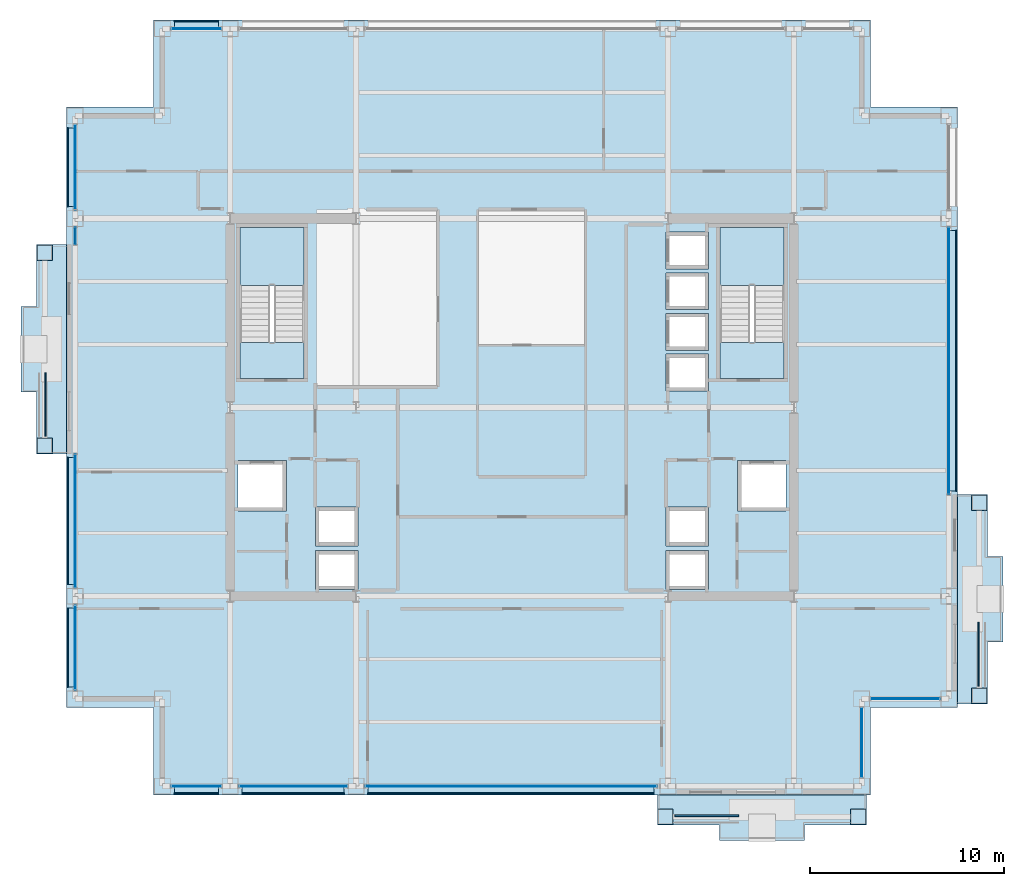
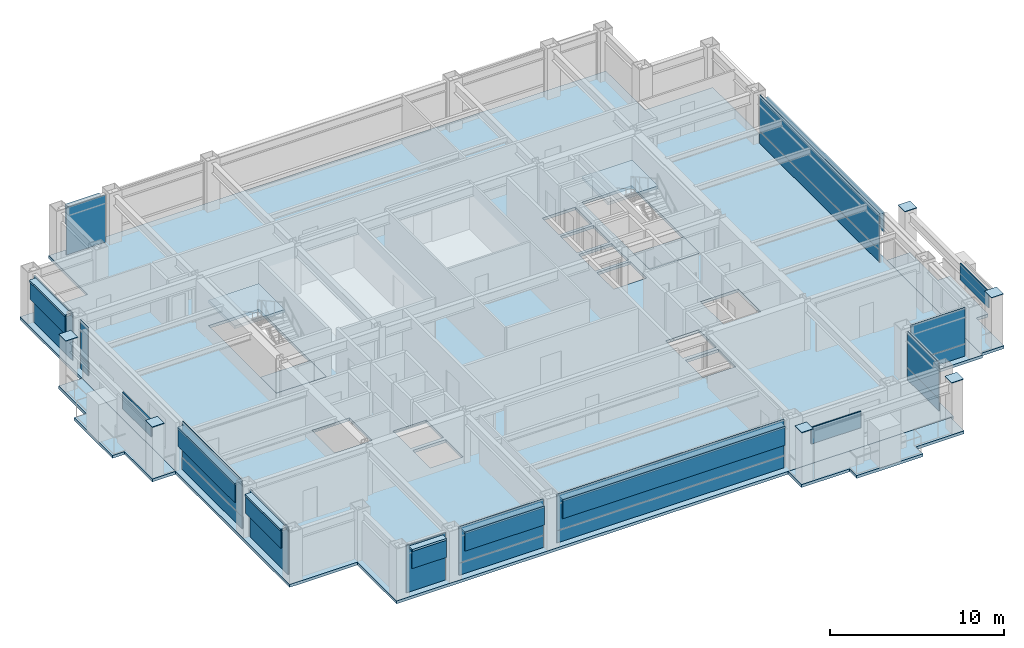
# One storey, part 22 of 29: 43 plates, 8 slabs, 1 member, 13 elements without a shape of their own.
"""IFC4 building model written with IfcOpenShell, lengths in metres."""

import ifcopenshell
import ifcopenshell.guid

model = None  # the IFC model being written
_history = None  # IfcOwnerHistory: only IFC2X3 demands one
_inside = {}  # id of a spatial element -> (the spatial element, [elements in it])
_under = {}  # id of a project, library or spatial element -> (it, [spatial elements below it])
_declared = {}  # id of a project -> (the project, [libraries it declares])
_typed = {}  # id of a type object -> (the type object, [elements of that type])
_made_of = {}  # id of a material, layer set ... -> (it, [elements and type objects made of it])


def new_model(schema):
    """Start an empty IFC model of exactly this schema.

    Asked for "IFC4X3", IfcOpenShell would pick the latest addendum, in which some entities
    have other attributes; the version numbers below select the first issue.
    IFC2X3 requires an IfcOwnerHistory on every rooted entity: one is made here for all.
    """
    global model, _history
    if schema == "IFC4X3":
        model = ifcopenshell.file(schema_version=(4, 3, 0, 0))
    else:
        model = ifcopenshell.file(schema=schema)
    _inside.clear()
    _under.clear()
    _declared.clear()
    _typed.clear()
    _made_of.clear()
    _history = None
    if model.schema == "IFC2X3":
        org = make("IfcOrganization", Name="unknown")
        user = make(
            "IfcPersonAndOrganization",
            ThePerson=make("IfcPerson", FamilyName="unknown"),
            TheOrganization=org,
        )
        app = make(
            "IfcApplication",
            ApplicationDeveloper=org,
            Version="unknown",
            ApplicationFullName="unknown",
            ApplicationIdentifier="unknown",
        )
        _history = make(
            "IfcOwnerHistory",
            OwningUser=user,
            OwningApplication=app,
            ChangeAction="ADDED",
            CreationDate=0,
        )
    return model


def make(cls, **values):
    """One entity of the class cls with the attributes given. An attribute that is None is left unset."""
    return model.create_entity(
        cls, **{name: value for name, value in values.items() if value is not None}
    )


def rooted(cls, **values):
    """An entity with a GlobalId (a new one), such as an element, a storey or a relation."""
    return make(cls, GlobalId=ifcopenshell.guid.new(), OwnerHistory=_history, **values)


def si_unit(unit_type, name, prefix=None):
    """IfcSIUnit, for example si_unit("LENGTHUNIT", "METRE", prefix="MILLI")."""
    return make("IfcSIUnit", UnitType=unit_type, Prefix=prefix, Name=name)


def assignment(units):
    """IfcUnitAssignment: the units of a project."""
    return None if units is None else make("IfcUnitAssignment", Units=units)


def point(xyz):
    """IfcCartesianPoint."""
    return None if xyz is None else make("IfcCartesianPoint", Coordinates=xyz)


def direction(xyz):
    """IfcDirection."""
    return None if xyz is None else make("IfcDirection", DirectionRatios=xyz)


def frame(location, z_axis=None, x_axis=None):
    """IfcAxis2Placement3D, a coordinate frame: its origin and axes. An axis left out is left unset."""
    return make(
        "IfcAxis2Placement3D",
        Location=point(location),
        Axis=direction(z_axis),
        RefDirection=direction(x_axis),
    )


def frame_2d(location, x_axis=None):
    """IfcAxis2Placement2D, a coordinate frame in the plane: its origin and x axis."""
    return make(
        "IfcAxis2Placement2D", Location=point(location), RefDirection=direction(x_axis)
    )


def origin():
    """The frame at (0, 0, 0) with its axes left unset."""
    return frame((0.0, 0.0, 0.0))


def origin_2d():
    """The frame at (0, 0) in the plane with its x axis left unset."""
    return frame_2d((0.0, 0.0))


def place(relative_to, where):
    """IfcLocalPlacement: puts the frame where relative to a parent placement (None: the world)."""
    return make(
        "IfcLocalPlacement", PlacementRelTo=relative_to, RelativePlacement=where
    )


def context(
    kind, dimensions, precision=None, world=None, true_north=None, identifier=None
):
    """IfcGeometricRepresentationContext, for example the 3D "Model" context."""
    return make(
        "IfcGeometricRepresentationContext",
        ContextIdentifier=identifier,
        ContextType=kind,
        CoordinateSpaceDimension=dimensions,
        Precision=precision,
        WorldCoordinateSystem=world,
        TrueNorth=true_north,
    )


def subcontext(parent, identifier, kind, view, scale=None):
    """IfcGeometricRepresentationSubContext, for example "Body" below "Model"."""
    return make(
        "IfcGeometricRepresentationSubContext",
        ContextIdentifier=identifier,
        ContextType=kind,
        ParentContext=parent,
        TargetScale=scale,
        TargetView=view,
    )


def project(units=None, contexts=None):
    """IfcProject with its units and contexts."""
    return rooted(
        "IfcProject",
        Name="project",
        RepresentationContexts=contexts,
        UnitsInContext=assignment(units),
    )


def spatial(cls, under=None, at=None, **own):
    """A site, building, storey or space (cls), placed at a placement, below another one or the project."""
    s = rooted(cls, ObjectPlacement=at, **own)
    if under is not None:
        _under.setdefault(under.id(), (under, []))[1].append(s)
    return s


def polyline(points):
    """IfcPolyline through the points."""
    return make("IfcPolyline", Points=[point(p) for p in points])


def profile(cls, at=None, kind="AREA", **sizes):
    """A parametric profile (cls). Its sizes go by their IFC names, for example OverallWidth=200.0."""
    return make(cls, ProfileType=kind, Position=at, **sizes)


def rectangle(**sizes):
    """IfcRectangleProfileDef."""
    return profile("IfcRectangleProfileDef", **sizes)


def hollow_rectangle(**sizes):
    """IfcRectangleHollowProfileDef."""
    return profile("IfcRectangleHollowProfileDef", **sizes)


def outline(outer, holes=None, kind="AREA"):
    """IfcArbitraryClosedProfileDef: a profile drawn as a closed curve; with holes, ...WithVoids."""
    if holes is None:
        return make("IfcArbitraryClosedProfileDef", ProfileType=kind, OuterCurve=outer)
    return make(
        "IfcArbitraryProfileDefWithVoids",
        ProfileType=kind,
        OuterCurve=outer,
        InnerCurves=holes,
    )


def extrude(swept, where, along, depth):
    """IfcExtrudedAreaSolid: the profile swept, set in the frame where, extruded along a direction by depth."""
    return make(
        "IfcExtrudedAreaSolid",
        SweptArea=swept,
        Position=where,
        ExtrudedDirection=direction(along),
        Depth=depth,
    )


def shape(context_of_items, identifier, shape_type, items):
    """IfcShapeRepresentation: the items that make up one representation, for example the "Body"."""
    return make(
        "IfcShapeRepresentation",
        ContextOfItems=context_of_items,
        RepresentationIdentifier=identifier,
        RepresentationType=shape_type,
        Items=items,
    )


def material(Name=None, Category=None):
    """IfcMaterial."""
    return make("IfcMaterial", Name=Name, Category=Category)


def layer(
    of_material, thickness, ventilated=None, Name=None, Category=None, Priority=None
):
    """IfcMaterialLayer: one layer of a wall or slab, of a material (None: an air gap)."""
    return make(
        "IfcMaterialLayer",
        Material=of_material,
        LayerThickness=thickness,
        IsVentilated=ventilated,
        Name=Name,
        Category=Category,
        Priority=Priority,
    )


def layer_set(layers, Name=None):
    """IfcMaterialLayerSet."""
    return make("IfcMaterialLayerSet", MaterialLayers=layers, LayerSetName=Name)


def material_profile(
    of_material, cross_section, Name=None, Category=None, Priority=None
):
    """IfcMaterialProfile: a cross section and its material."""
    return make(
        "IfcMaterialProfile",
        Name=Name,
        Material=of_material,
        Profile=cross_section,
        Priority=Priority,
        Category=Category,
    )


def profile_set(profiles, Name=None, composite=None):
    """IfcMaterialProfileSet."""
    return make(
        "IfcMaterialProfileSet",
        Name=Name,
        MaterialProfiles=profiles,
        CompositeProfile=composite,
    )


def made_of(thing, what):
    """Note that an element or type object is made of a material, layer set ...; save() writes the relation."""
    if what is not None:
        _made_of.setdefault(what.id(), (what, []))[1].append(thing)
    return thing


def type_object(cls, material=None, **own):
    """A type object (cls), such as IfcWallType, which elements share."""
    return made_of(rooted(cls, **own), material)


def element(
    cls,
    number,
    at=None,
    inside=None,
    cuts=None,
    type_object=None,
    material=None,
    context=None,
    identifier="Body",
    shape_type=None,
    held_by="IfcProductDefinitionShape",
    body=None,
    shapes=None,
    **own,
):
    """One element of the class cls, such as IfcWall. Its Tag is "e" and its number.

    at: its placement. inside: the storey or other place that contains it. cuts: it is an
    opening in that element (IfcRelVoidsElement). A single representation is given by context,
    identifier, shape_type and body (its items); several are given by shapes. held_by: the class
    of the entity that holds the representations. save() writes the other relations.
    """
    e = rooted(cls, Tag="e%d" % number, ObjectPlacement=at, **own)
    if body is not None:
        shapes = [shape(context, identifier, shape_type, body)]
    if shapes is not None:
        e.Representation = make(held_by, Representations=shapes)
    if inside is not None:
        _inside.setdefault(inside.id(), (inside, []))[1].append(e)
    if cuts is not None:
        rooted(
            "IfcRelVoidsElement", RelatingBuildingElement=cuts, RelatedOpeningElement=e
        )
    if type_object is not None:
        _typed.setdefault(type_object.id(), (type_object, []))[1].append(e)
    return made_of(e, material)


def aggregate(whole, parts):
    """IfcRelAggregates: a whole, such as a stair, and the parts it consists of."""
    return rooted("IfcRelAggregates", RelatingObject=whole, RelatedObjects=parts)


def save(model, path):
    """Write the relations noted so far, then the file.

    IfcRelAggregates (storeys below a building ...), IfcRelContainedInSpatialStructure (elements
    in a storey), IfcRelDefinesByType, IfcRelAssociatesMaterial and IfcRelDeclares: one each for
    every whole, place, type object, material and project.
    """
    for whole, parts in _under.values():
        aggregate(whole, parts)
    for where, things in _inside.values():
        rooted(
            "IfcRelContainedInSpatialStructure",
            RelatedElements=things,
            RelatingStructure=where,
        )
    for kind, things in _typed.values():
        rooted("IfcRelDefinesByType", RelatedObjects=things, RelatingType=kind)
    for what, things in _made_of.values():
        rooted("IfcRelAssociatesMaterial", RelatedObjects=things, RelatingMaterial=what)
    for by, libraries in _declared.values():
        rooted("IfcRelDeclares", RelatingContext=by, RelatedDefinitions=libraries)
    model.write(path)


model = new_model("IFC4")

# Units and contexts
model_context = context("Model", 3, precision=1e-05, world=origin(), true_north=direction((0.0, 1.0)))
body_context = subcontext(model_context, "Body", "Model", "MODEL_VIEW")
ifc_project = project(units=[si_unit("LENGTHUNIT", "METRE"), si_unit("AREAUNIT", "SQUARE_METRE"), si_unit("VOLUMEUNIT", "CUBIC_METRE"), si_unit("PLANEANGLEUNIT", "RADIAN"), si_unit("MASSUNIT", "GRAM", prefix="KILO")], contexts=[model_context])

# Site, building, storey
site_placement = place(None, origin())
site = spatial("IfcSite", under=ifc_project, at=site_placement, CompositionType="ELEMENT")
building_placement = place(site_placement, origin())
building = spatial("IfcBuilding", under=site, at=building_placement, Name="Brelmoor Portico Tower", CompositionType="ELEMENT")
storey_placement = place(building_placement, frame((0.0, 0.0, 95.39990234375)))
storey = spatial("IfcBuildingStorey", under=building, at=storey_placement, Name="L24", CompositionType="ELEMENT", Elevation=95.39990234375)

# Curtain wall, member
ifc_material_1 = material(Name="Anodised Aluminium Alloy 6063-T6", Category="aluminium")
ifc_layer_1 = layer(ifc_material_1, 0.179931640625)
ifc_layer_set_1 = layer_set([ifc_layer_1], Name="Anodised Aluminium Alloy 6063-T6")
curtain_wall_type_1 = type_object("IfcCurtainWallType", Name="CW-TOWER-Z2", PredefinedType="NOTDEFINED", material=ifc_layer_set_1)
curtain_wall_1_placement = place(storey_placement, origin())
curtain_wall_1 = element("IfcCurtainWall", 1, at=curtain_wall_1_placement, inside=storey, type_object=curtain_wall_type_1, Name="L24 Curtain Wall CW-L24-3R-1", PredefinedType="NOTDEFINED")
ifc_material_profile = material_profile(ifc_material_1, hollow_rectangle(XDim=0.06494140625, YDim=0.139892578125, WallThickness=0.00390625, at=origin_2d()), Name="ALU TRANSOM 65x140")
ifc_profile_set = profile_set([ifc_material_profile], Name="Anodised Aluminium Alloy 6063-T6")
member_type = type_object("IfcMemberType", Name="MB-CW-TRAN-140", PredefinedType="USERDEFINED", material=ifc_profile_set)
member_placement = place(storey_placement, frame((-22.550048828125, 8.39990234375, 0.85009765625), z_axis=(0.0, 1.0, 0.0), x_axis=(-1.0, 0.0, 0.0)))
member = element("IfcMember", 2, at=member_placement, type_object=member_type, Name="CW-L24-3R-1 Transom 1-00", ObjectType="TRANSOM", PredefinedType="USERDEFINED", context=body_context, shape_type="SweptSolid", body=[
    extrude(hollow_rectangle(XDim=0.06494140625, YDim=0.139892578125, WallThickness=0.00390625, at=origin_2d()), origin(), (0.0, 0.0, 1.0), 0.9150390625),
])

# Plates
ifc_material_2 = material(Name="Steel Q355B", Category="steel")
ifc_layer_2 = layer(ifc_material_2, 0.044921875)
ifc_layer_set_2 = layer_set([ifc_layer_2], Name="Steel Q355B")
plate_type_1 = type_object("IfcPlateType", Name="PT-CAP-650", PredefinedType="SHEET", material=ifc_layer_set_2)
for number, where, z_axis, x_axis, name in (
    (3, (7.919921875, -21.1298828125, 3.60009765625), (0.0, 0.0, 1.0), (1.0, 0.0, 0.0), "L24 Proud Picture-Frame Pier PFJ-S1 Welded Head Cap Plate"),
    (4, (17.8798828125, -21.1298828125, 3.60009765625), (0.0, 0.0, 1.0), (1.0, 0.0, 0.0), "L24 Proud Picture-Frame Pier PFJ-S2 Welded Head Cap Plate"),
    (5, (24.1298828125, -14.8798828125, 3.60009765625), (0.0, 0.0, 1.0), (0.0, 1.0, 0.0), "L24 Proud Picture-Frame Pier PFJ-E1 Welded Head Cap Plate"),
    (6, (24.1298828125, -4.919921875, 3.60009765625), (0.0, 0.0, 1.0), (0.0, 1.0, 0.0), "L24 Proud Picture-Frame Pier PFJ-E2 Welded Head Cap Plate"),
    (7, (-24.1298828125, -1.97998046875, 3.60009765625), (0.0, 0.0, 1.0), (0.0, 1.0, 0.0), "L24 Proud Picture-Frame Pier PFJ-W1 Welded Head Cap Plate"),
    (8, (-24.1298828125, 7.97998046875, 3.60009765625), (0.0, 0.0, 1.0), (0.0, 1.0, 0.0), "L24 Proud Picture-Frame Pier PFJ-W2 Welded Head Cap Plate"),
):
    element("IfcPlate", number, at=place(storey_placement, frame(where, z_axis=z_axis, x_axis=x_axis)), inside=storey, type_object=plate_type_1, Name=name, PredefinedType="SHEET", context=body_context, shape_type="SweptSolid", body=[
        extrude(rectangle(XDim=0.7900390625, YDim=0.7900390625, at=origin_2d()), origin(), (0.0, 0.0, 1.0), 0.0400390625),
    ])

# Curtain wall, plate
curtain_wall_2_placement = place(storey_placement, origin())
curtain_wall_2 = element("IfcCurtainWall", 9, at=curtain_wall_2_placement, inside=storey, type_object=curtain_wall_type_1, Name="L24 Curtain Wall CW-L24-1L-2", PredefinedType="NOTDEFINED")
ifc_material_3 = material(Name="Double-Silver Low-E Insulated Glazing", Category="glass")
ifc_layer_3 = layer(ifc_material_3, 0.035888671875)
ifc_layer_set_3 = layer_set([ifc_layer_3], Name="Double-Silver Low-E Insulated Glazing")
plate_type_2 = type_object("IfcPlateType", Name="PT-CW-GLASS", PredefinedType="CURTAIN_PANEL", material=ifc_layer_set_3)
plate_1_placement = place(storey_placement, frame((-11.300048828125, -19.550048828125, 0.85009765625), z_axis=(0.0, 0.0, 1.0), x_axis=(1.0, 0.0, 0.0)))
plate_1 = element("IfcPlate", 10, at=plate_1_placement, type_object=plate_type_2, Name="CW-L24-1L-2 Vision Glass Panel 00", PredefinedType="CURTAIN_PANEL", context=body_context, shape_type="SweptSolid", body=[
    extrude(rectangle(XDim=5.60009765625, YDim=0.035888671875, at=origin_2d()), origin(), (0.0, 0.0, 1.0), 2.550048828125),
])

curtain_wall_3_placement = place(storey_placement, origin())
curtain_wall_3 = element("IfcCurtainWall", 11, at=curtain_wall_3_placement, inside=storey, type_object=curtain_wall_type_1, Name="L24 Curtain Wall CW-L24-1L-3", PredefinedType="NOTDEFINED")
plate_2_placement = place(storey_placement, frame((-0.0576171875, -19.550048828125, 0.85009765625), z_axis=(0.0, 0.0, 1.0), x_axis=(1.0, 0.0, 0.0)))
plate_2 = element("IfcPlate", 12, at=plate_2_placement, type_object=plate_type_2, Name="CW-L24-1L-3 Vision Glass Panel 00", PredefinedType="CURTAIN_PANEL", context=body_context, shape_type="SweptSolid", body=[
    extrude(rectangle(XDim=15.0849609375, YDim=0.035888671875, at=origin_2d()), origin(), (0.0, 0.0, 1.0), 2.550048828125),
])

curtain_wall_4_placement = place(storey_placement, origin())
curtain_wall_4 = element("IfcCurtainWall", 13, at=curtain_wall_4_placement, inside=storey, type_object=curtain_wall_type_1, Name="L24 Curtain Wall CW-L24-3L-2", PredefinedType="NOTDEFINED")
plate_3_placement = place(storey_placement, frame((-22.550048828125, -5.857421875, 0.85009765625), z_axis=(0.0, 0.0, 1.0), x_axis=(0.0, 1.0, 0.0)))
plate_3 = element("IfcPlate", 14, at=plate_3_placement, type_object=plate_type_2, Name="CW-L24-3L-2 Vision Glass Panel 00", PredefinedType="CURTAIN_PANEL", context=body_context, shape_type="SweptSolid", body=[
    extrude(rectangle(XDim=6.885009765625, YDim=0.035888671875, at=origin_2d()), origin(), (0.0, 0.0, 1.0), 2.550048828125),
])

# Plate
plate_4_placement = place(storey_placement, frame((-22.550048828125, 8.857421875, 0.85009765625), z_axis=(0.0, 0.0, 1.0), x_axis=(0.0, 1.0, 0.0)))
plate_4 = element("IfcPlate", 15, at=plate_4_placement, type_object=plate_type_2, Name="CW-L24-3R-1 Vision Glass Panel 00", PredefinedType="CURTAIN_PANEL", context=body_context, shape_type="SweptSolid", body=[
    extrude(rectangle(XDim=0.885009765625, YDim=0.035888671875, at=origin_2d()), origin(), (0.0, 0.0, 1.0), 2.550048828125),
])

# Curtain wall, plate
curtain_wall_5_placement = place(storey_placement, origin())
curtain_wall_5 = element("IfcCurtainWall", 16, at=curtain_wall_5_placement, inside=storey, type_object=curtain_wall_type_1, Name="L24 Curtain Wall CW-L24-4R-1", PredefinedType="NOTDEFINED")
plate_5_placement = place(storey_placement, frame((22.550048828125, 2.407470703125, 0.85009765625), z_axis=(0.0, 0.0, 1.0), x_axis=(0.0, 1.0, 0.0)))
plate_5 = element("IfcPlate", 17, at=plate_5_placement, type_object=plate_type_2, Name="CW-L24-4R-1 Vision Glass Panel 00", PredefinedType="CURTAIN_PANEL", context=body_context, shape_type="SweptSolid", body=[
    extrude(rectangle(XDim=13.784912109375, YDim=0.035888671875, at=origin_2d()), origin(), (0.0, 0.0, 1.0), 2.550048828125),
])

ifc_layer_4 = layer(ifc_material_1, 0.179931640625)
ifc_layer_set_4 = layer_set([ifc_layer_4], Name="Anodised Aluminium Alloy 6063-T6")
curtain_wall_type_2 = type_object("IfcCurtainWallType", Name="CW-NOTCH-CHAMFER", PredefinedType="NOTDEFINED", material=ifc_layer_set_4)
curtain_wall_6_placement = place(storey_placement, origin())
curtain_wall_6 = element("IfcCurtainWall", 18, at=curtain_wall_6_placement, inside=storey, type_object=curtain_wall_type_2, Name="L24 Curtain Wall CWN-L24-SEH", PredefinedType="NOTDEFINED")
plate_6_placement = place(storey_placement, frame((20.300048828125, -15.050048828125, 0.85009765625), z_axis=(0.0, 0.0, 1.0), x_axis=(1.0, 0.0, 0.0)))
plate_6 = element("IfcPlate", 19, at=plate_6_placement, type_object=plate_type_2, Name="CWN-L24-SEH Vision Glass Panel 00", PredefinedType="CURTAIN_PANEL", context=body_context, shape_type="SweptSolid", body=[
    extrude(rectangle(XDim=3.60009765625, YDim=0.035888671875, at=origin_2d()), origin(), (0.0, 0.0, 1.0), 2.550048828125),
])

curtain_wall_7_placement = place(storey_placement, origin())
curtain_wall_7 = element("IfcCurtainWall", 20, at=curtain_wall_7_placement, inside=storey, type_object=curtain_wall_type_2, Name="L24 Curtain Wall CWN-L24-SEV", PredefinedType="NOTDEFINED")
plate_7_placement = place(storey_placement, frame((18.050048828125, -17.300048828125, 0.85009765625), z_axis=(0.0, 0.0, 1.0), x_axis=(0.0, 1.0, 0.0)))
plate_7 = element("IfcPlate", 21, at=plate_7_placement, type_object=plate_type_2, Name="CWN-L24-SEV Vision Glass Panel 00", PredefinedType="CURTAIN_PANEL", context=body_context, shape_type="SweptSolid", body=[
    extrude(rectangle(XDim=3.60009765625, YDim=0.035888671875, at=origin_2d()), origin(), (0.0, 0.0, 1.0), 2.550048828125),
])

ifc_layer_5 = layer(ifc_material_1, 0.179931640625)
ifc_layer_set_5 = layer_set([ifc_layer_5], Name="Anodised Aluminium Alloy 6063-T6")
curtain_wall_type_3 = type_object("IfcCurtainWallType", Name="CW-TOWER-Z2-XB", PredefinedType="NOTDEFINED", material=ifc_layer_set_5)
curtain_wall_8_placement = place(storey_placement, origin())
curtain_wall_8 = element("IfcCurtainWall", 22, at=curtain_wall_8_placement, inside=storey, type_object=curtain_wall_type_3, Name="L24 Curtain Wall CW-L24-1L-1", PredefinedType="NOTDEFINED")
ifc_material_4 = material(Name="Pale Champagne Anodised Aluminium Panel", Category="aluminium")
ifc_layer_6 = layer(ifc_material_4, 0.050048828125)
ifc_layer_set_6 = layer_set([ifc_layer_6], Name="Pale Champagne Anodised Aluminium Panel")
plate_type_3 = type_object("IfcPlateType", Name="PT-CW-SPANDREL", PredefinedType="SHEET", material=ifc_layer_set_6)
plate_8_placement = place(storey_placement, frame((-16.300048828125, -19.550048828125, 0.0), z_axis=(0.0, 0.0, 1.0), x_axis=(1.0, 0.0, 0.0)))
plate_8 = element("IfcPlate", 23, at=plate_8_placement, type_object=plate_type_3, Name="CW-L24-1L-1 Spandrel Panel 00", PredefinedType="SHEET", context=body_context, shape_type="SweptSolid", body=[
    extrude(rectangle(XDim=2.60009765625, YDim=0.050048828125, at=origin_2d()), origin(), (0.0, 0.0, 1.0), 3.330078125),
])
aggregate(curtain_wall_8, [plate_8])

# Plate
plate_9_placement = place(storey_placement, frame((-11.300048828125, -19.550048828125, 0.0), z_axis=(0.0, 0.0, 1.0), x_axis=(1.0, 0.0, 0.0)))
plate_9 = element("IfcPlate", 24, at=plate_9_placement, type_object=plate_type_3, Name="CW-L24-1L-2 Spandrel Panel 00", PredefinedType="SHEET", context=body_context, shape_type="SweptSolid", body=[
    extrude(rectangle(XDim=5.60009765625, YDim=0.050048828125, at=origin_2d()), origin(), (0.0, 0.0, 1.0), 0.85009765625),
])

aggregate(curtain_wall_2, [plate_9, plate_1])

plate_10_placement = place(storey_placement, frame((-0.0576171875, -19.550048828125, 0.0), z_axis=(0.0, 0.0, 1.0), x_axis=(1.0, 0.0, 0.0)))
plate_10 = element("IfcPlate", 25, at=plate_10_placement, type_object=plate_type_3, Name="CW-L24-1L-3 Spandrel Panel 00", PredefinedType="SHEET", context=body_context, shape_type="SweptSolid", body=[
    extrude(rectangle(XDim=15.0849609375, YDim=0.050048828125, at=origin_2d()), origin(), (0.0, 0.0, 1.0), 0.85009765625),
])

aggregate(curtain_wall_3, [plate_10, plate_2])

# Curtain wall, plate
curtain_wall_9_placement = place(storey_placement, origin())
curtain_wall_9 = element("IfcCurtainWall", 26, at=curtain_wall_9_placement, inside=storey, type_object=curtain_wall_type_3, Name="L24 Curtain Wall CW-L24-02-1", PredefinedType="NOTDEFINED")
plate_11_placement = place(storey_placement, frame((-16.300048828125, 19.550048828125, 0.0), z_axis=(0.0, 0.0, 1.0), x_axis=(1.0, 0.0, 0.0)))
plate_11 = element("IfcPlate", 27, at=plate_11_placement, type_object=plate_type_3, Name="CW-L24-02-1 Spandrel Panel 00", PredefinedType="SHEET", context=body_context, shape_type="SweptSolid", body=[
    extrude(rectangle(XDim=2.60009765625, YDim=0.050048828125, at=origin_2d()), origin(), (0.0, 0.0, 1.0), 3.330078125),
])
aggregate(curtain_wall_9, [plate_11])

curtain_wall_10_placement = place(storey_placement, origin())
curtain_wall_10 = element("IfcCurtainWall", 28, at=curtain_wall_10_placement, inside=storey, type_object=curtain_wall_type_3, Name="L24 Curtain Wall CW-L24-3L-1", PredefinedType="NOTDEFINED")
plate_12_placement = place(storey_placement, frame((-22.550048828125, -12.39990234375, 0.0), z_axis=(0.0, 0.0, 1.0), x_axis=(0.0, 1.0, 0.0)))
plate_12 = element("IfcPlate", 29, at=plate_12_placement, type_object=plate_type_3, Name="CW-L24-3L-1 Spandrel Panel 00", PredefinedType="SHEET", context=body_context, shape_type="SweptSolid", body=[
    extrude(rectangle(XDim=4.39990234375, YDim=0.050048828125, at=origin_2d()), origin(), (0.0, 0.0, 1.0), 3.330078125),
])
aggregate(curtain_wall_10, [plate_12])

# Plate
plate_13_placement = place(storey_placement, frame((-22.550048828125, -5.857421875, 0.0), z_axis=(0.0, 0.0, 1.0), x_axis=(0.0, 1.0, 0.0)))
plate_13 = element("IfcPlate", 30, at=plate_13_placement, type_object=plate_type_3, Name="CW-L24-3L-2 Spandrel Panel 00", PredefinedType="SHEET", context=body_context, shape_type="SweptSolid", body=[
    extrude(rectangle(XDim=6.885009765625, YDim=0.050048828125, at=origin_2d()), origin(), (0.0, 0.0, 1.0), 0.85009765625),
])

aggregate(curtain_wall_4, [plate_13, plate_3])

plate_14_placement = place(storey_placement, frame((-22.550048828125, 8.857421875, 0.0), z_axis=(0.0, 0.0, 1.0), x_axis=(0.0, 1.0, 0.0)))
plate_14 = element("IfcPlate", 31, at=plate_14_placement, type_object=plate_type_3, Name="CW-L24-3R-1 Spandrel Panel 00", PredefinedType="SHEET", context=body_context, shape_type="SweptSolid", body=[
    extrude(rectangle(XDim=0.885009765625, YDim=0.050048828125, at=origin_2d()), origin(), (0.0, 0.0, 1.0), 0.85009765625),
])

aggregate(curtain_wall_1, [member, plate_14, plate_4])

# Curtain wall, plate
curtain_wall_11_placement = place(storey_placement, origin())
curtain_wall_11 = element("IfcCurtainWall", 32, at=curtain_wall_11_placement, inside=storey, type_object=curtain_wall_type_3, Name="L24 Curtain Wall CW-L24-3R-2", PredefinedType="NOTDEFINED")
plate_15_placement = place(storey_placement, frame((-22.550048828125, 12.39990234375, 0.0), z_axis=(0.0, 0.0, 1.0), x_axis=(0.0, 1.0, 0.0)))
plate_15 = element("IfcPlate", 33, at=plate_15_placement, type_object=plate_type_3, Name="CW-L24-3R-2 Spandrel Panel 00", PredefinedType="SHEET", context=body_context, shape_type="SweptSolid", body=[
    extrude(rectangle(XDim=4.39990234375, YDim=0.050048828125, at=origin_2d()), origin(), (0.0, 0.0, 1.0), 3.330078125),
])
aggregate(curtain_wall_11, [plate_15])

# Plate
plate_16_placement = place(storey_placement, frame((22.550048828125, 2.407470703125, 0.0), z_axis=(0.0, 0.0, 1.0), x_axis=(0.0, 1.0, 0.0)))
plate_16 = element("IfcPlate", 34, at=plate_16_placement, type_object=plate_type_3, Name="CW-L24-4R-1 Spandrel Panel 00", PredefinedType="SHEET", context=body_context, shape_type="SweptSolid", body=[
    extrude(rectangle(XDim=13.784912109375, YDim=0.050048828125, at=origin_2d()), origin(), (0.0, 0.0, 1.0), 0.85009765625),
])

aggregate(curtain_wall_5, [plate_16, plate_5])

plate_17_placement = place(storey_placement, frame((20.300048828125, -15.050048828125, 0.0), z_axis=(0.0, 0.0, 1.0), x_axis=(1.0, 0.0, 0.0)))
plate_17 = element("IfcPlate", 35, at=plate_17_placement, type_object=plate_type_3, Name="CWN-L24-SEH Spandrel Panel 00", PredefinedType="SHEET", context=body_context, shape_type="SweptSolid", body=[
    extrude(rectangle(XDim=3.60009765625, YDim=0.050048828125, at=origin_2d()), origin(), (0.0, 0.0, 1.0), 0.85009765625),
])

aggregate(curtain_wall_6, [plate_17, plate_6])

plate_18_placement = place(storey_placement, frame((18.050048828125, -17.300048828125, 0.0), z_axis=(0.0, 0.0, 1.0), x_axis=(0.0, 1.0, 0.0)))
plate_18 = element("IfcPlate", 36, at=plate_18_placement, type_object=plate_type_3, Name="CWN-L24-SEV Spandrel Panel 00", PredefinedType="SHEET", context=body_context, shape_type="SweptSolid", body=[
    extrude(rectangle(XDim=3.60009765625, YDim=0.050048828125, at=origin_2d()), origin(), (0.0, 0.0, 1.0), 0.85009765625),
])

aggregate(curtain_wall_7, [plate_18, plate_7])

# Plates
ifc_material_5 = material(Name="Powder-Coated Aluminium Shuttered Jalousie Louvre", Category="aluminium")
ifc_layer_7 = layer(ifc_material_5, 0.06005859375)
ifc_layer_set_7 = layer_set([ifc_layer_7], Name="Powder-Coated Aluminium Shuttered Jalousie Louvre")
plate_type_4 = type_object("IfcPlateType", Name="PT-JALOUSIE-SHUTTER", PredefinedType="SHEET", material=ifc_layer_set_7)
plate_19_placement = place(storey_placement, frame((-16.300048828125, -19.929931640625, 1.8740234375), z_axis=(0.0, 0.0, 1.0), x_axis=(1.0, 0.0, 0.0)))
element("IfcPlate", 37, at=plate_19_placement, inside=storey, type_object=plate_type_4, Name="CW-L24-1L-1 Perforated Jalousie Solar Screen", PredefinedType="SHEET", context=body_context, shape_type="SweptSolid", body=[
    extrude(rectangle(XDim=2.27001953125, YDim=0.06494140625, at=origin_2d()), origin(), (0.0, 0.0, 1.0), 1.325927734375),
])
plate_20_placement = place(storey_placement, frame((-11.300048828125, -19.929931640625, 1.8740234375), z_axis=(0.0, 0.0, 1.0), x_axis=(1.0, 0.0, 0.0)))
element("IfcPlate", 38, at=plate_20_placement, inside=storey, type_object=plate_type_4, Name="CW-L24-1L-2 Perforated Jalousie Solar Screen", PredefinedType="SHEET", context=body_context, shape_type="SweptSolid", body=[
    extrude(rectangle(XDim=5.27001953125, YDim=0.06494140625, at=origin_2d()), origin(), (0.0, 0.0, 1.0), 1.325927734375),
])
plate_21_placement = place(storey_placement, frame((-0.0576171875, -19.929931640625, 1.8740234375), z_axis=(0.0, 0.0, 1.0), x_axis=(1.0, 0.0, 0.0)))
element("IfcPlate", 39, at=plate_21_placement, inside=storey, type_object=plate_type_4, Name="CW-L24-1L-3 Perforated Jalousie Solar Screen", PredefinedType="SHEET", context=body_context, shape_type="SweptSolid", body=[
    extrude(rectangle(XDim=14.7548828125, YDim=0.06494140625, at=origin_2d()), origin(), (0.0, 0.0, 1.0), 1.325927734375),
])
plate_22_placement = place(storey_placement, frame((10.050048828125, -21.080078125, 2.275146484375), z_axis=(0.0, 0.0, 1.0), x_axis=(1.0, 0.0, 0.0)))
element("IfcPlate", 40, at=plate_22_placement, inside=storey, type_object=plate_type_4, Name="L24 Shuttered Veranda Screen S", PredefinedType="SHEET", context=body_context, shape_type="SweptSolid", body=[
    extrude(rectangle(XDim=3.300048828125, YDim=0.080078125, at=origin_2d()), origin(), (0.0, 0.0, 1.0), 1.14990234375),
])
plate_23_placement = place(storey_placement, frame((-16.300048828125, 19.929931640625, 1.8740234375), z_axis=(0.0, 0.0, 1.0), x_axis=(1.0, 0.0, 0.0)))
element("IfcPlate", 41, at=plate_23_placement, inside=storey, type_object=plate_type_4, Name="CW-L24-02-1 Perforated Jalousie Solar Screen", PredefinedType="SHEET", context=body_context, shape_type="SweptSolid", body=[
    extrude(rectangle(XDim=2.27001953125, YDim=0.06494140625, at=origin_2d()), origin(), (0.0, 0.0, 1.0), 1.325927734375),
])
plate_24_placement = place(storey_placement, frame((-22.929931640625, -12.39990234375, 1.8740234375), z_axis=(0.0, 0.0, 1.0), x_axis=(0.0, 1.0, 0.0)))
element("IfcPlate", 42, at=plate_24_placement, inside=storey, type_object=plate_type_4, Name="CW-L24-3L-1 Perforated Jalousie Solar Screen", PredefinedType="SHEET", context=body_context, shape_type="SweptSolid", body=[
    extrude(rectangle(XDim=4.070068359375, YDim=0.06494140625, at=origin_2d()), origin(), (0.0, 0.0, 1.0), 1.325927734375),
])
plate_25_placement = place(storey_placement, frame((-22.929931640625, -5.857421875, 1.8740234375), z_axis=(0.0, 0.0, 1.0), x_axis=(0.0, 1.0, 0.0)))
element("IfcPlate", 43, at=plate_25_placement, inside=storey, type_object=plate_type_4, Name="CW-L24-3L-2 Perforated Jalousie Solar Screen", PredefinedType="SHEET", context=body_context, shape_type="SweptSolid", body=[
    extrude(rectangle(XDim=6.554931640625, YDim=0.06494140625, at=origin_2d()), origin(), (0.0, 0.0, 1.0), 1.325927734375),
])
plate_26_placement = place(storey_placement, frame((-22.929931640625, 12.39990234375, 1.8740234375), z_axis=(0.0, 0.0, 1.0), x_axis=(0.0, 1.0, 0.0)))
element("IfcPlate", 44, at=plate_26_placement, inside=storey, type_object=plate_type_4, Name="CW-L24-3R-2 Perforated Jalousie Solar Screen", PredefinedType="SHEET", context=body_context, shape_type="SweptSolid", body=[
    extrude(rectangle(XDim=4.070068359375, YDim=0.06494140625, at=origin_2d()), origin(), (0.0, 0.0, 1.0), 1.325927734375),
])
plate_27_placement = place(storey_placement, frame((-24.080078125, 0.14990234375, 2.275146484375), z_axis=(0.0, 0.0, 1.0), x_axis=(0.0, 1.0, 0.0)))
element("IfcPlate", 45, at=plate_27_placement, inside=storey, type_object=plate_type_4, Name="L24 Shuttered Veranda Screen W", PredefinedType="SHEET", context=body_context, shape_type="SweptSolid", body=[
    extrude(rectangle(XDim=3.300048828125, YDim=0.080078125, at=origin_2d()), origin(), (0.0, 0.0, 1.0), 1.14990234375),
])
plate_28_placement = place(storey_placement, frame((22.929931640625, 2.407470703125, 1.8740234375), z_axis=(0.0, 0.0, 1.0), x_axis=(0.0, 1.0, 0.0)))
element("IfcPlate", 46, at=plate_28_placement, inside=storey, type_object=plate_type_4, Name="CW-L24-4R-1 Perforated Jalousie Solar Screen", PredefinedType="SHEET", context=body_context, shape_type="SweptSolid", body=[
    extrude(rectangle(XDim=13.455078125, YDim=0.06494140625, at=origin_2d()), origin(), (0.0, 0.0, 1.0), 1.325927734375),
])
plate_29_placement = place(storey_placement, frame((24.080078125, -12.75, 2.275146484375), z_axis=(0.0, 0.0, 1.0), x_axis=(0.0, 1.0, 0.0)))
element("IfcPlate", 47, at=plate_29_placement, inside=storey, type_object=plate_type_4, Name="L24 Shuttered Veranda Screen E", PredefinedType="SHEET", context=body_context, shape_type="SweptSolid", body=[
    extrude(rectangle(XDim=3.300048828125, YDim=0.080078125, at=origin_2d()), origin(), (0.0, 0.0, 1.0), 1.14990234375),
])
ifc_material_6 = material(Name="Pale Champagne Perforated Aluminium Solar Screen", Category="aluminium")
ifc_layer_8 = layer(ifc_material_6, 0.054931640625)
ifc_layer_set_8 = layer_set([ifc_layer_8], Name="Pale Champagne Perforated Aluminium Solar Screen")
plate_type_5 = type_object("IfcPlateType", Name="PT-SOLAR-LOUVRE", PredefinedType="SHEET", material=ifc_layer_set_8)
plate_30_placement = place(storey_placement, frame((-16.300048828125, -19.760009765625, 3.09033203125), z_axis=(0.0, 0.0, 1.0), x_axis=(1.0, 0.0, 0.0)))
element("IfcPlate", 48, at=plate_30_placement, inside=storey, type_object=plate_type_5, Name="CW-L24-1L-1 Caribbean Brise-Soleil Solar Screen", PredefinedType="SHEET", context=body_context, shape_type="SweptSolid", body=[
    extrude(rectangle(XDim=2.27001953125, YDim=0.4599609375, at=origin_2d()), origin(), (0.0, 0.0, 1.0), 0.139892578125),
])
plate_31_placement = place(storey_placement, frame((-11.300048828125, -19.760009765625, 3.09033203125), z_axis=(0.0, 0.0, 1.0), x_axis=(1.0, 0.0, 0.0)))
element("IfcPlate", 49, at=plate_31_placement, inside=storey, type_object=plate_type_5, Name="CW-L24-1L-2 Caribbean Brise-Soleil Solar Screen", PredefinedType="SHEET", context=body_context, shape_type="SweptSolid", body=[
    extrude(rectangle(XDim=5.27001953125, YDim=0.4599609375, at=origin_2d()), origin(), (0.0, 0.0, 1.0), 0.139892578125),
])
plate_32_placement = place(storey_placement, frame((-0.0576171875, -19.760009765625, 3.09033203125), z_axis=(0.0, 0.0, 1.0), x_axis=(1.0, 0.0, 0.0)))
element("IfcPlate", 50, at=plate_32_placement, inside=storey, type_object=plate_type_5, Name="CW-L24-1L-3 Caribbean Brise-Soleil Solar Screen", PredefinedType="SHEET", context=body_context, shape_type="SweptSolid", body=[
    extrude(rectangle(XDim=14.7548828125, YDim=0.4599609375, at=origin_2d()), origin(), (0.0, 0.0, 1.0), 0.139892578125),
])
plate_33_placement = place(storey_placement, frame((-16.300048828125, 19.760009765625, 3.09033203125), z_axis=(0.0, 0.0, 1.0), x_axis=(1.0, 0.0, 0.0)))
element("IfcPlate", 51, at=plate_33_placement, inside=storey, type_object=plate_type_5, Name="CW-L24-02-1 Caribbean Brise-Soleil Solar Screen", PredefinedType="SHEET", context=body_context, shape_type="SweptSolid", body=[
    extrude(rectangle(XDim=2.27001953125, YDim=0.4599609375, at=origin_2d()), origin(), (0.0, 0.0, 1.0), 0.139892578125),
])
plate_34_placement = place(storey_placement, frame((-22.760009765625, -12.39990234375, 3.09033203125), z_axis=(0.0, 0.0, 1.0), x_axis=(0.0, 1.0, 0.0)))
element("IfcPlate", 52, at=plate_34_placement, inside=storey, type_object=plate_type_5, Name="CW-L24-3L-1 Caribbean Brise-Soleil Solar Screen", PredefinedType="SHEET", context=body_context, shape_type="SweptSolid", body=[
    extrude(rectangle(XDim=4.070068359375, YDim=0.4599609375, at=origin_2d()), origin(), (0.0, 0.0, 1.0), 0.139892578125),
])
plate_35_placement = place(storey_placement, frame((-22.760009765625, -5.857421875, 3.09033203125), z_axis=(0.0, 0.0, 1.0), x_axis=(0.0, 1.0, 0.0)))
element("IfcPlate", 53, at=plate_35_placement, inside=storey, type_object=plate_type_5, Name="CW-L24-3L-2 Caribbean Brise-Soleil Solar Screen", PredefinedType="SHEET", context=body_context, shape_type="SweptSolid", body=[
    extrude(rectangle(XDim=6.554931640625, YDim=0.4599609375, at=origin_2d()), origin(), (0.0, 0.0, 1.0), 0.139892578125),
])
plate_36_placement = place(storey_placement, frame((-22.760009765625, 12.39990234375, 3.09033203125), z_axis=(0.0, 0.0, 1.0), x_axis=(0.0, 1.0, 0.0)))
element("IfcPlate", 54, at=plate_36_placement, inside=storey, type_object=plate_type_5, Name="CW-L24-3R-2 Caribbean Brise-Soleil Solar Screen", PredefinedType="SHEET", context=body_context, shape_type="SweptSolid", body=[
    extrude(rectangle(XDim=4.070068359375, YDim=0.4599609375, at=origin_2d()), origin(), (0.0, 0.0, 1.0), 0.139892578125),
])
plate_37_placement = place(storey_placement, frame((22.760009765625, 2.407470703125, 3.09033203125), z_axis=(0.0, 0.0, 1.0), x_axis=(0.0, 1.0, 0.0)))
element("IfcPlate", 55, at=plate_37_placement, inside=storey, type_object=plate_type_5, Name="CW-L24-4R-1 Caribbean Brise-Soleil Solar Screen", PredefinedType="SHEET", context=body_context, shape_type="SweptSolid", body=[
    extrude(rectangle(XDim=13.455078125, YDim=0.4599609375, at=origin_2d()), origin(), (0.0, 0.0, 1.0), 0.139892578125),
])

# Slabs
ifc_material_7 = material(Name="Concrete C40", Category="concrete")
ifc_layer_9 = layer(ifc_material_7, 0.199951171875)
ifc_layer_set_9 = layer_set([ifc_layer_9], Name="Concrete C40")
slab_type_1 = type_object("IfcSlabType", Name="SL-BALCONY-200", PredefinedType="FLOOR", material=ifc_layer_set_9)
slab_1_placement = place(storey_placement, frame((0.0, 0.0, -0.199951171875)))
element("IfcSlab", 56, at=slab_1_placement, inside=storey, type_object=slab_type_1, Name="L24 Loggia Tree Balcony Slab S", PredefinedType="FLOOR", context=body_context, shape_type="SweptSolid", body=[
    extrude(outline(polyline([(7.5, -21.550048828125), (10.699951171875, -21.550048828125), (10.699951171875, -22.35009765625), (15.10009765625, -22.35009765625), (15.10009765625, -21.550048828125), (18.300048828125, -21.550048828125), (18.300048828125, -20.0), (7.5, -20.0), (7.5, -21.550048828125)])), origin(), (0.0, 0.0, 1.0), 0.199951171875),
])
slab_2_placement = place(storey_placement, frame((0.0, 0.0, -0.199951171875)))
element("IfcSlab", 57, at=slab_2_placement, inside=storey, type_object=slab_type_1, Name="L24 Loggia Tree Balcony Slab E", PredefinedType="FLOOR", context=body_context, shape_type="SweptSolid", body=[
    extrude(outline(polyline([(23.0, -15.300048828125), (24.550048828125, -15.300048828125), (24.550048828125, -12.10009765625), (25.35009765625, -12.10009765625), (25.35009765625, -7.699951171875), (24.550048828125, -7.699951171875), (24.550048828125, -4.5), (23.0, -4.5), (23.0, -15.300048828125)])), origin(), (0.0, 0.0, 1.0), 0.199951171875),
])
slab_3_placement = place(storey_placement, frame((0.0, 0.0, -0.199951171875)))
element("IfcSlab", 58, at=slab_3_placement, inside=storey, type_object=slab_type_1, Name="L24 Loggia Tree Balcony Slab W", PredefinedType="FLOOR", context=body_context, shape_type="SweptSolid", body=[
    extrude(outline(polyline([(-24.550048828125, -2.39990234375), (-23.0, -2.39990234375), (-23.0, 8.39990234375), (-24.550048828125, 8.39990234375), (-24.550048828125, 5.199951171875), (-25.35009765625, 5.199951171875), (-25.35009765625, 0.800048828125), (-24.550048828125, 0.800048828125), (-24.550048828125, -2.39990234375)])), origin(), (0.0, 0.0, 1.0), 0.199951171875),
])
ifc_layer_10 = layer(ifc_material_7, 0.199951171875)
ifc_layer_set_10 = layer_set([ifc_layer_10], Name="Concrete C40")
slab_type_2 = type_object("IfcSlabType", Name="SL-FLOOR-200", PredefinedType="FLOOR", material=ifc_layer_set_10)
slab_4_placement = place(storey_placement, frame((0.0, 0.0, -0.199951171875)))
element("IfcSlab", 59, at=slab_4_placement, inside=storey, type_object=slab_type_2, Name="L24 Main Structural Floor Slab", PredefinedType="FLOOR", context=body_context, shape_type="SweptSolid", body=[
    extrude(outline(polyline([(-18.5, -20.0), (18.5, -20.0), (18.5, -15.5), (23.0, -15.5), (23.0, 15.5), (18.5, 15.5), (18.5, 20.0), (-18.5, 20.0), (-18.5, 15.5), (-23.0, 15.5), (-23.0, -15.5), (-18.5, -15.5), (-18.5, -20.0)]), holes=[polyline([(-10.72998046875, 1.5), (-10.72998046875, 9.300048828125), (-14.050048828125, 9.300048828125), (-14.050048828125, 1.5), (-10.72998046875, 1.5)]), polyline([(14.050048828125, 1.5), (14.050048828125, 9.300048828125), (10.72998046875, 9.300048828125), (10.72998046875, 1.5), (14.050048828125, 1.5)]), polyline([(7.949951171875, 0.85009765625), (10.14990234375, 0.85009765625), (10.14990234375, 2.75), (7.949951171875, 2.75), (7.949951171875, 0.85009765625)]), polyline([(7.949951171875, 2.949951171875), (10.14990234375, 2.949951171875), (10.14990234375, 4.85009765625), (7.949951171875, 4.85009765625), (7.949951171875, 2.949951171875)]), polyline([(7.949951171875, 5.050048828125), (10.14990234375, 5.050048828125), (10.14990234375, 6.949951171875), (7.949951171875, 6.949951171875), (7.949951171875, 5.050048828125)]), polyline([(7.949951171875, 7.14990234375), (10.14990234375, 7.14990234375), (10.14990234375, 9.050048828125), (7.949951171875, 9.050048828125), (7.949951171875, 7.14990234375)]), polyline([(-10.14990234375, -9.39990234375), (-7.949951171875, -9.39990234375), (-7.949951171875, -7.39990234375), (-10.14990234375, -7.39990234375), (-10.14990234375, -9.39990234375)]), polyline([(-10.14990234375, -7.14990234375), (-7.949951171875, -7.14990234375), (-7.949951171875, -5.14990234375), (-10.14990234375, -5.14990234375), (-10.14990234375, -7.14990234375)]), polyline([(7.949951171875, -9.39990234375), (10.14990234375, -9.39990234375), (10.14990234375, -7.39990234375), (7.949951171875, -7.39990234375), (7.949951171875, -9.39990234375)]), polyline([(7.949951171875, -7.14990234375), (10.14990234375, -7.14990234375), (10.14990234375, -5.14990234375), (7.949951171875, -5.14990234375), (7.949951171875, -7.14990234375)]), polyline([(-14.14990234375, -5.35009765625), (-11.64990234375, -5.35009765625), (-11.64990234375, -2.75), (-14.14990234375, -2.75), (-14.14990234375, -5.35009765625)]), polyline([(11.64990234375, -5.35009765625), (14.14990234375, -5.35009765625), (14.14990234375, -2.75), (11.64990234375, -2.75), (11.64990234375, -5.35009765625)])]), origin(), (0.0, 0.0, 1.0), 0.199951171875),
])

# Stair, slab
stair_type_1 = type_object("IfcStairType", Name="ST-CORE-W", PredefinedType="HALF_TURN_STAIR", material=ifc_material_7)
stair_1_placement = place(storey_placement, origin())
stair_1 = element("IfcStair", 60, at=stair_1_placement, inside=storey, type_object=stair_type_1, Name="L24 Protected Core Exit Stair ST-W", PredefinedType="HALF_TURN_STAIR")
ifc_layer_11 = layer(ifc_material_7, 0.179931640625)
ifc_layer_set_11 = layer_set([ifc_layer_11], Name="Concrete C40")
slab_type_3 = type_object("IfcSlabType", Name="SL-LANDING-180", PredefinedType="LANDING", material=ifc_layer_set_11)
slab_5_placement = place(storey_placement, frame((0.0, 0.0, 1.60009765625)))
slab_5 = element("IfcSlab", 61, at=slab_5_placement, type_object=slab_type_3, Name="ST-W landing 1", PredefinedType="LANDING", context=body_context, shape_type="SweptSolid", body=[
    extrude(outline(polyline([(-10.72998046875, 6.300048828125), (-10.72998046875, 9.300048828125), (-14.050048828125, 9.300048828125), (-14.050048828125, 6.300048828125), (-10.72998046875, 6.300048828125)])), origin(), (0.0, 0.0, 1.0), 0.199951171875),
])
aggregate(stair_1, [slab_5])

stair_type_2 = type_object("IfcStairType", Name="ST-CORE-E", PredefinedType="HALF_TURN_STAIR", material=ifc_material_7)
stair_2_placement = place(storey_placement, origin())
stair_2 = element("IfcStair", 62, at=stair_2_placement, inside=storey, type_object=stair_type_2, Name="L24 Protected Core Exit Stair ST-E", PredefinedType="HALF_TURN_STAIR")
slab_6_placement = place(storey_placement, frame((0.0, 0.0, 1.60009765625)))
slab_6 = element("IfcSlab", 63, at=slab_6_placement, type_object=slab_type_3, Name="ST-E landing 1", PredefinedType="LANDING", context=body_context, shape_type="SweptSolid", body=[
    extrude(outline(polyline([(14.050048828125, 6.300048828125), (14.050048828125, 9.300048828125), (10.72998046875, 9.300048828125), (10.72998046875, 6.300048828125), (14.050048828125, 6.300048828125)])), origin(), (0.0, 0.0, 1.0), 0.199951171875),
])
aggregate(stair_2, [slab_6])

# Slabs
ifc_layer_12 = layer(ifc_material_7, 0.199951171875)
ifc_layer_set_12 = layer_set([ifc_layer_12], Name="Concrete C40")
slab_type_4 = type_object("IfcSlabType", Name="SL-STAIR-FL200", PredefinedType="LANDING", material=ifc_layer_set_12)
slab_7_placement = place(storey_placement, frame((0.0, 0.0, -0.199951171875)))
element("IfcSlab", 64, at=slab_7_placement, inside=storey, type_object=slab_type_4, Name="L24 ST-W Structural Floor Landing Slab", PredefinedType="LANDING", context=body_context, shape_type="SweptSolid", body=[
    extrude(outline(polyline([(-10.72998046875, 1.5), (-10.72998046875, 3.35009765625), (-14.050048828125, 3.35009765625), (-14.050048828125, 1.5), (-10.72998046875, 1.5)])), origin(), (0.0, 0.0, 1.0), 0.199951171875),
])
slab_8_placement = place(storey_placement, frame((0.0, 0.0, -0.199951171875)))
element("IfcSlab", 65, at=slab_8_placement, inside=storey, type_object=slab_type_4, Name="L24 ST-E Structural Floor Landing Slab", PredefinedType="LANDING", context=body_context, shape_type="SweptSolid", body=[
    extrude(outline(polyline([(14.050048828125, 1.5), (14.050048828125, 3.35009765625), (10.72998046875, 3.35009765625), (10.72998046875, 1.5), (14.050048828125, 1.5)])), origin(), (0.0, 0.0, 1.0), 0.199951171875),
])

save(model, "model.ifc")
